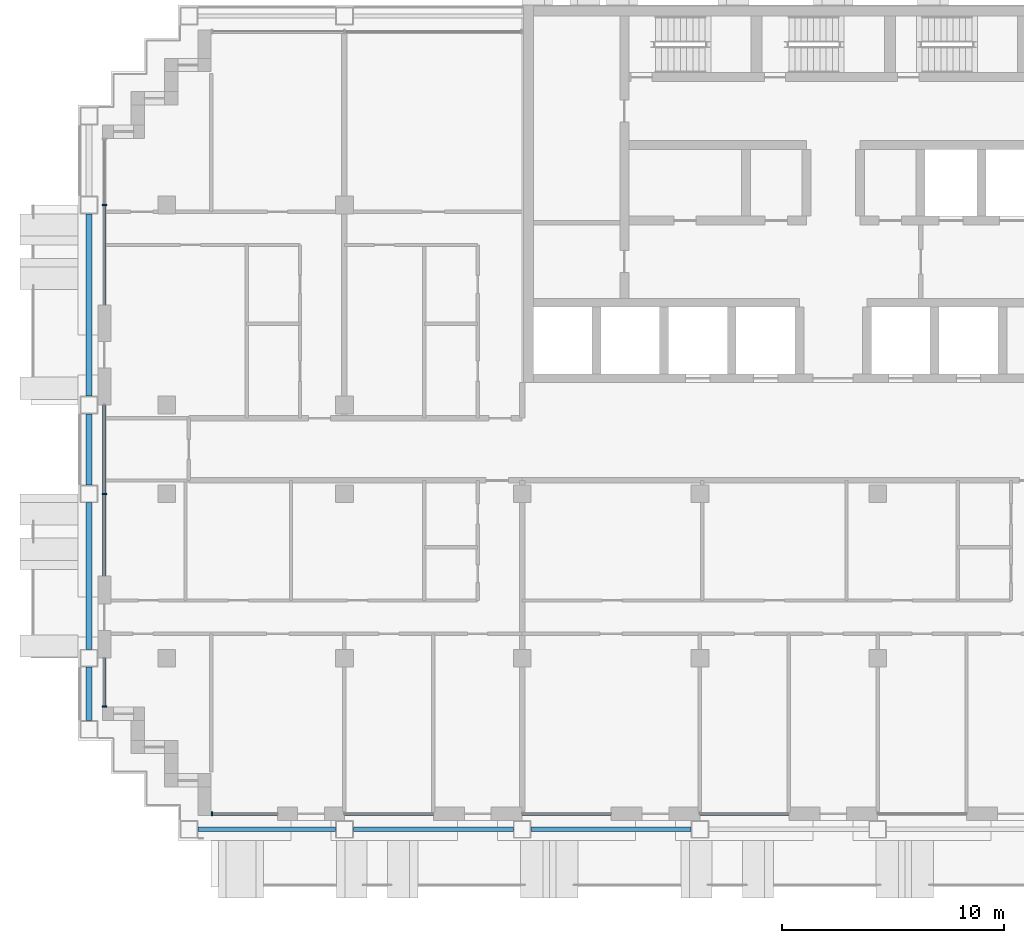
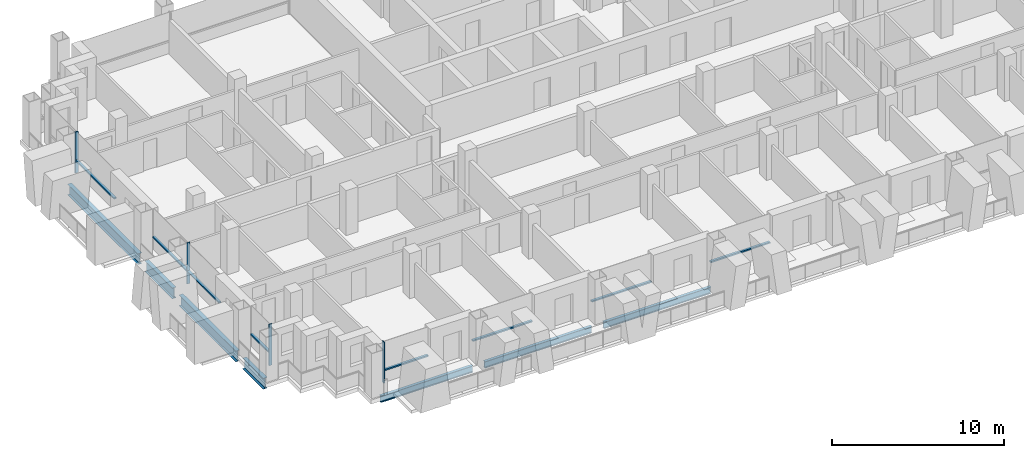
# One storey, part 2 of 17: 12 members, 7 beams, 7 elements without a shape of their own.
"""IFC4 building model written with IfcOpenShell, lengths in metres."""

from ifc_helpers import new_model, si_unit, direction, frame, origin, origin_2d, place, context, subcontext, project, spatial, rectangle, i_section, extrude, material, material_profile, profile_set, type_object, element, aggregate, save


model = new_model("IFC4")

# Units and contexts
model_context = context("Model", 3, precision=1e-05, world=origin(), true_north=direction((0.0, 1.0)))
body_context = subcontext(model_context, "Body", "Model", "MODEL_VIEW")
ifc_project = project(units=[si_unit("LENGTHUNIT", "METRE"), si_unit("AREAUNIT", "SQUARE_METRE"), si_unit("VOLUMEUNIT", "CUBIC_METRE"), si_unit("PLANEANGLEUNIT", "RADIAN"), si_unit("MASSUNIT", "GRAM", prefix="KILO")], contexts=[model_context])

# Site, building, storey
site_placement = place(None, origin())
site = spatial("IfcSite", under=ifc_project, at=site_placement, CompositionType="ELEMENT")
building_placement = place(site_placement, origin())
building = spatial("IfcBuilding", under=site, at=building_placement, Name="Vidyagriha Tower", CompositionType="ELEMENT")
storey_placement = place(building_placement, frame((0.0, 0.0, 139.0)))
storey = spatial("IfcBuildingStorey", under=building, at=storey_placement, Name="L36", CompositionType="ELEMENT", Elevation=139.0)

# Beams
ifc_material_1 = material(Name="Steel ASTM A992 Grade 50", Category="steel")
ifc_material_profile_1 = material_profile(ifc_material_1, i_section(OverallWidth=0.2666015625, OverallDepth=0.76953125, WebThickness=0.015625, FlangeThickness=0.025390625, at=origin_2d()), Name="W30X132")
ifc_profile_set_1 = profile_set([ifc_material_profile_1], Name="Steel ASTM A992 Grade 50")
beam_type_1 = type_object("IfcBeamType", Name="Cantilever edge beam W30X132", PredefinedType="SPANDREL", material=ifc_profile_set_1)
beam_1_placement = place(storey_placement, frame((-33.5, -12.199951171875, -0.664794921875), z_axis=(0.0, 1.0, 0.0), x_axis=(-1.0, 0.0, 0.0)))
element("IfcBeam", 1, at=beam_1_placement, inside=storey, type_object=beam_type_1, Name="st-beam-L36-W09", PredefinedType="SPANDREL", context=body_context, shape_type="SweptSolid", body=[
    extrude(i_section(OverallWidth=0.2666015625, OverallDepth=0.76953125, WebThickness=0.015625, FlangeThickness=0.025390625, at=origin_2d()), origin(), (0.0, 0.0, 1.0), 2.39990234375),
])
beam_2_placement = place(storey_placement, frame((-33.5, -9.0, -0.664794921875), z_axis=(0.0, 1.0, 0.0), x_axis=(-1.0, 0.0, 0.0)))
element("IfcBeam", 2, at=beam_2_placement, inside=storey, type_object=beam_type_1, Name="st-beam-L36-W10", PredefinedType="SPANDREL", context=body_context, shape_type="SweptSolid", body=[
    extrude(i_section(OverallWidth=0.2666015625, OverallDepth=0.76953125, WebThickness=0.015625, FlangeThickness=0.025390625, at=origin_2d()), origin(), (0.0, 0.0, 1.0), 6.60009765625),
])
beam_3_placement = place(storey_placement, frame((-33.5, -1.60009765625, -0.664794921875), z_axis=(0.0, 1.0, 0.0), x_axis=(-1.0, 0.0, 0.0)))
element("IfcBeam", 3, at=beam_3_placement, inside=storey, type_object=beam_type_1, Name="st-beam-L36-W11", PredefinedType="SPANDREL", context=body_context, shape_type="SweptSolid", body=[
    extrude(i_section(OverallWidth=0.2666015625, OverallDepth=0.76953125, WebThickness=0.015625, FlangeThickness=0.025390625, at=origin_2d()), origin(), (0.0, 0.0, 1.0), 3.2001953125),
])
beam_4_placement = place(storey_placement, frame((-33.5, 2.39990234375, -0.664794921875), z_axis=(0.0, 1.0, 0.0), x_axis=(-1.0, 0.0, 0.0)))
element("IfcBeam", 4, at=beam_4_placement, inside=storey, type_object=beam_type_1, Name="st-beam-L36-W12", PredefinedType="SPANDREL", context=body_context, shape_type="SweptSolid", body=[
    extrude(i_section(OverallWidth=0.2666015625, OverallDepth=0.76953125, WebThickness=0.015625, FlangeThickness=0.025390625, at=origin_2d()), origin(), (0.0, 0.0, 1.0), 8.2001953125),
])
ifc_material_2 = material(Name="Steel ASTM A992 Grade 50", Category="steel")
ifc_material_profile_2 = material_profile(ifc_material_2, i_section(OverallWidth=0.19189453125, OverallDepth=0.46240234375, WebThickness=0.010498046875, FlangeThickness=0.017578125, at=origin_2d()), Name="W18X60")
ifc_profile_set_2 = profile_set([ifc_material_profile_2], Name="Steel ASTM A992 Grade 50")
beam_type_2 = type_object("IfcBeamType", Name="Edge beam W18X60", PredefinedType="SPANDREL", material=ifc_profile_set_2)
beam_5_placement = place(storey_placement, frame((-28.60009765625, -17.10009765625, -0.51123046875), z_axis=(1.0, 0.0, 0.0), x_axis=(0.0, 1.0, 0.0)))
element("IfcBeam", 5, at=beam_5_placement, inside=storey, type_object=beam_type_2, Name="st-beam-L36-S01", PredefinedType="SPANDREL", context=body_context, shape_type="SweptSolid", body=[
    extrude(i_section(OverallWidth=0.19189453125, OverallDepth=0.46240234375, WebThickness=0.010498046875, FlangeThickness=0.017578125, at=origin_2d()), origin(), (0.0, 0.0, 1.0), 6.2001953125),
])
for number, where, z_axis, x_axis, name in (
    (6, (-21.60009765625, -17.10009765625, -0.51123046875), (1.0, 0.0, 0.0), (0.0, 1.0, 0.0), "st-beam-L36-S02"),
    (7, (-13.60009765625, -17.10009765625, -0.51123046875), (1.0, 0.0, 0.0), (0.0, 1.0, 0.0), "st-beam-L36-S03"),
):
    element("IfcBeam", number, at=place(storey_placement, frame(where, z_axis=z_axis, x_axis=x_axis)), inside=storey, type_object=beam_type_2, Name=name, PredefinedType="SPANDREL", context=body_context, shape_type="SweptSolid", body=[
        extrude(i_section(OverallWidth=0.19189453125, OverallDepth=0.46240234375, WebThickness=0.010498046875, FlangeThickness=0.017578125, at=origin_2d()), origin(), (0.0, 0.0, 1.0), 7.2001953125),
    ])

# Curtain wall, member
ifc_material_3 = material(Name="Aluminium and glass curtain wall", Category="aluminium")
curtain_wall_type = type_object("IfcCurtainWallType", Name="Dwelling skin unitised curtain wall", PredefinedType="USERDEFINED", material=ifc_material_3)
curtain_wall_1_placement = place(storey_placement, origin())
curtain_wall_1 = element("IfcCurtainWall", 8, at=curtain_wall_1_placement, inside=storey, type_object=curtain_wall_type, Name="CW1 dwelling skin", ObjectType="UNITISED", PredefinedType="USERDEFINED")
ifc_material_4 = material(Name="Aluminium black anodised", Category="aluminium")
ifc_material_profile_3 = material_profile(ifc_material_4, rectangle(XDim=0.199951171875, YDim=0.070068359375, at=origin_2d()), Name="Mullion 70x200 black aluminium")
ifc_profile_set_3 = profile_set([ifc_material_profile_3], Name="Aluminium black anodised")
member_type_1 = type_object("IfcMemberType", Name="Mullion 70x200 black aluminium", PredefinedType="MULLION", material=ifc_profile_set_3)
member_1_placement = place(storey_placement, frame((-32.800048828125, 11.0, 0.0)))
member_1 = element("IfcMember", 9, at=member_1_placement, type_object=member_type_1, Name="CW1 mullion 2", PredefinedType="MULLION", context=body_context, shape_type="SweptSolid", body=[
    extrude(rectangle(XDim=0.199951171875, YDim=0.070068359375, at=origin_2d()), origin(), (0.0, 0.0, 1.0), 2.919921875),
])

curtain_wall_2_placement = place(storey_placement, origin())
curtain_wall_2 = element("IfcCurtainWall", 10, at=curtain_wall_2_placement, inside=storey, type_object=curtain_wall_type, Name="CW1 dwelling skin", ObjectType="UNITISED", PredefinedType="USERDEFINED")
member_2_placement = place(storey_placement, frame((-32.800048828125, -2.0, 0.0)))
member_2 = element("IfcMember", 11, at=member_2_placement, type_object=member_type_1, Name="CW1 mullion 2", PredefinedType="MULLION", context=body_context, shape_type="SweptSolid", body=[
    extrude(rectangle(XDim=0.199951171875, YDim=0.070068359375, at=origin_2d()), origin(), (0.0, 0.0, 1.0), 2.919921875),
])

curtain_wall_3_placement = place(storey_placement, origin())
curtain_wall_3 = element("IfcCurtainWall", 12, at=curtain_wall_3_placement, inside=storey, type_object=curtain_wall_type, Name="CW1 dwelling skin", ObjectType="UNITISED", PredefinedType="USERDEFINED")
member_3_placement = place(storey_placement, frame((-32.800048828125, -11.56494140625, 0.0)))
member_3 = element("IfcMember", 13, at=member_3_placement, type_object=member_type_1, Name="CW1 mullion 2", PredefinedType="MULLION", context=body_context, shape_type="SweptSolid", body=[
    extrude(rectangle(XDim=0.199951171875, YDim=0.070068359375, at=origin_2d()), origin(), (0.0, 0.0, 1.0), 2.919921875),
])

curtain_wall_4_placement = place(storey_placement, origin())
curtain_wall_4 = element("IfcCurtainWall", 14, at=curtain_wall_4_placement, inside=storey, type_object=curtain_wall_type, Name="CW1 dwelling skin", ObjectType="UNITISED", PredefinedType="USERDEFINED")
member_4_placement = place(storey_placement, frame((-27.965087890625, -16.39990234375, 0.0), z_axis=(0.0, 0.0, 1.0), x_axis=(0.0, 1.0, 0.0)))
member_4 = element("IfcMember", 15, at=member_4_placement, type_object=member_type_1, Name="CW1 mullion 1", PredefinedType="MULLION", context=body_context, shape_type="SweptSolid", body=[
    extrude(rectangle(XDim=0.199951171875, YDim=0.070068359375, at=origin_2d()), origin(), (0.0, 0.0, 1.0), 2.919921875),
])

# Member
ifc_material_5 = material(Name="Aluminium black anodised", Category="aluminium")
ifc_material_profile_4 = material_profile(ifc_material_5, rectangle(XDim=0.159912109375, YDim=0.10009765625, at=origin_2d()), Name="Transom 100x160 black aluminium")
ifc_profile_set_4 = profile_set([ifc_material_profile_4], Name="Aluminium black anodised")
member_type_2 = type_object("IfcMemberType", Name="Transom 100x160 black aluminium", PredefinedType="USERDEFINED", material=ifc_profile_set_4)
member_5_placement = place(storey_placement, frame((-32.800048828125, 10.965087890625, 0.89990234375), z_axis=(0.0, -1.0, 0.0), x_axis=(1.0, 0.0, 0.0)))
member_5 = element("IfcMember", 16, at=member_5_placement, type_object=member_type_2, Name="CW1 transom 2.1", ObjectType="TRANSOM", PredefinedType="USERDEFINED", context=body_context, shape_type="SweptSolid", body=[
    extrude(rectangle(XDim=0.159912109375, YDim=0.10009765625, at=origin_2d()), origin(), (0.0, 0.0, 1.0), 4.465087890625),
])

aggregate(curtain_wall_1, [member_1, member_5])

member_6_placement = place(storey_placement, frame((-32.800048828125, 2.0, 0.89990234375), z_axis=(0.0, -1.0, 0.0), x_axis=(1.0, 0.0, 0.0)))
member_6 = element("IfcMember", 17, at=member_6_placement, type_object=member_type_2, Name="CW1 transom 1.1", ObjectType="TRANSOM", PredefinedType="USERDEFINED", context=body_context, shape_type="SweptSolid", body=[
    extrude(rectangle(XDim=0.159912109375, YDim=0.10009765625, at=origin_2d()), origin(), (0.0, 0.0, 1.0), 3.965087890625),
])

member_7_placement = place(storey_placement, frame((-32.800048828125, -2.034912109375, 0.89990234375), z_axis=(0.0, -1.0, 0.0), x_axis=(1.0, 0.0, 0.0)))
member_7 = element("IfcMember", 18, at=member_7_placement, type_object=member_type_2, Name="CW1 transom 2.1", ObjectType="TRANSOM", PredefinedType="USERDEFINED", context=body_context, shape_type="SweptSolid", body=[
    extrude(rectangle(XDim=0.159912109375, YDim=0.10009765625, at=origin_2d()), origin(), (0.0, 0.0, 1.0), 3.6650390625),
])

aggregate(curtain_wall_2, [member_2, member_6, member_7])

member_8_placement = place(storey_placement, frame((-32.800048828125, -9.39990234375, 0.89990234375), z_axis=(0.0, -1.0, 0.0), x_axis=(1.0, 0.0, 0.0)))
member_8 = element("IfcMember", 19, at=member_8_placement, type_object=member_type_2, Name="CW1 transom 1.1", ObjectType="TRANSOM", PredefinedType="USERDEFINED", context=body_context, shape_type="SweptSolid", body=[
    extrude(rectangle(XDim=0.159912109375, YDim=0.10009765625, at=origin_2d()), origin(), (0.0, 0.0, 1.0), 2.130126953125),
])

aggregate(curtain_wall_3, [member_3, member_8])

member_9_placement = place(storey_placement, frame((-27.929931640625, -16.39990234375, 0.89990234375), z_axis=(1.0, 0.0, 0.0), x_axis=(0.0, 1.0, 0.0)))
member_9 = element("IfcMember", 20, at=member_9_placement, type_object=member_type_2, Name="CW1 transom 1.1", ObjectType="TRANSOM", PredefinedType="USERDEFINED", context=body_context, shape_type="SweptSolid", body=[
    extrude(rectangle(XDim=0.159912109375, YDim=0.10009765625, at=origin_2d()), origin(), (0.0, 0.0, 1.0), 2.929931640625),
])

aggregate(curtain_wall_4, [member_4, member_9])

# Curtain wall, member
curtain_wall_5_placement = place(storey_placement, origin())
curtain_wall_5 = element("IfcCurtainWall", 21, at=curtain_wall_5_placement, inside=storey, type_object=curtain_wall_type, Name="CW1 dwelling skin", ObjectType="UNITISED", PredefinedType="USERDEFINED")
member_10_placement = place(storey_placement, frame((-22.0, -16.39990234375, 0.89990234375), z_axis=(1.0, 0.0, 0.0), x_axis=(0.0, 1.0, 0.0)))
member_10 = element("IfcMember", 22, at=member_10_placement, type_object=member_type_2, Name="CW1 transom 1.1", ObjectType="TRANSOM", PredefinedType="USERDEFINED", context=body_context, shape_type="SweptSolid", body=[
    extrude(rectangle(XDim=0.159912109375, YDim=0.10009765625, at=origin_2d()), origin(), (0.0, 0.0, 1.0), 4.0),
])
aggregate(curtain_wall_5, [member_10])

curtain_wall_6_placement = place(storey_placement, origin())
curtain_wall_6 = element("IfcCurtainWall", 23, at=curtain_wall_6_placement, inside=storey, type_object=curtain_wall_type, Name="CW1 dwelling skin", ObjectType="UNITISED", PredefinedType="USERDEFINED")
member_11_placement = place(storey_placement, frame((-14.0, -16.39990234375, 0.89990234375), z_axis=(1.0, 0.0, 0.0), x_axis=(0.0, 1.0, 0.0)))
member_11 = element("IfcMember", 24, at=member_11_placement, type_object=member_type_2, Name="CW1 transom 1.1", ObjectType="TRANSOM", PredefinedType="USERDEFINED", context=body_context, shape_type="SweptSolid", body=[
    extrude(rectangle(XDim=0.159912109375, YDim=0.10009765625, at=origin_2d()), origin(), (0.0, 0.0, 1.0), 4.0),
])
aggregate(curtain_wall_6, [member_11])

curtain_wall_7_placement = place(storey_placement, origin())
curtain_wall_7 = element("IfcCurtainWall", 25, at=curtain_wall_7_placement, inside=storey, type_object=curtain_wall_type, Name="CW1 dwelling skin", ObjectType="UNITISED", PredefinedType="USERDEFINED")
member_12_placement = place(storey_placement, frame((-6.0, -16.39990234375, 0.89990234375), z_axis=(1.0, 0.0, 0.0), x_axis=(0.0, 1.0, 0.0)))
member_12 = element("IfcMember", 26, at=member_12_placement, type_object=member_type_2, Name="CW1 transom 1.1", ObjectType="TRANSOM", PredefinedType="USERDEFINED", context=body_context, shape_type="SweptSolid", body=[
    extrude(rectangle(XDim=0.159912109375, YDim=0.10009765625, at=origin_2d()), origin(), (0.0, 0.0, 1.0), 4.0),
])
aggregate(curtain_wall_7, [member_12])

save(model, "model.ifc")
